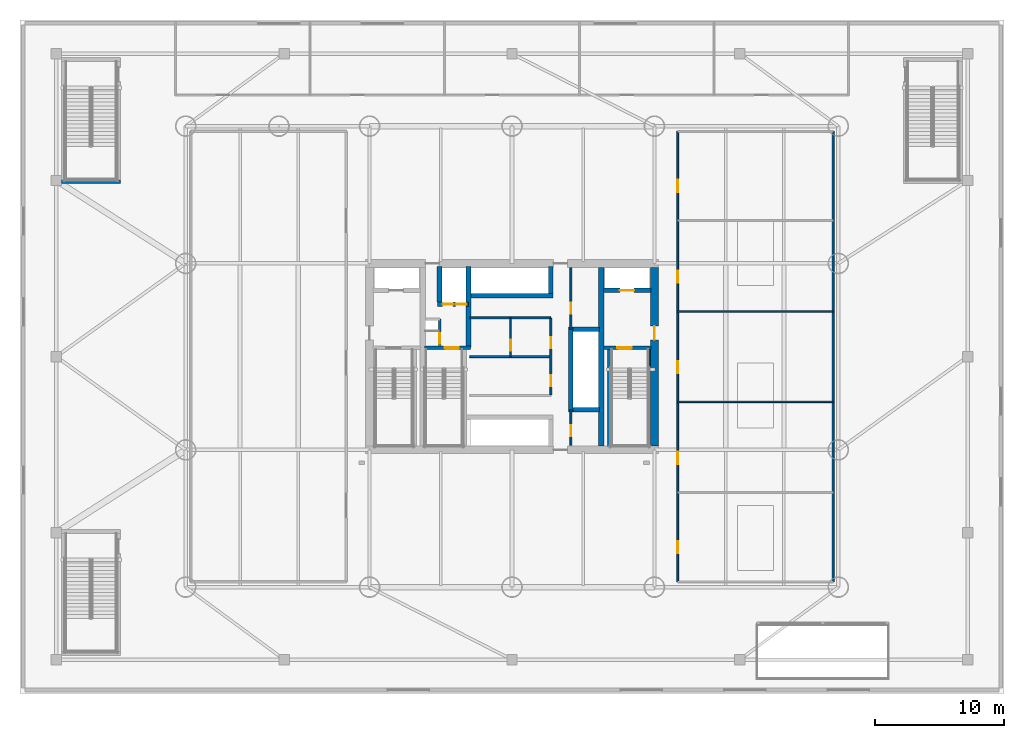
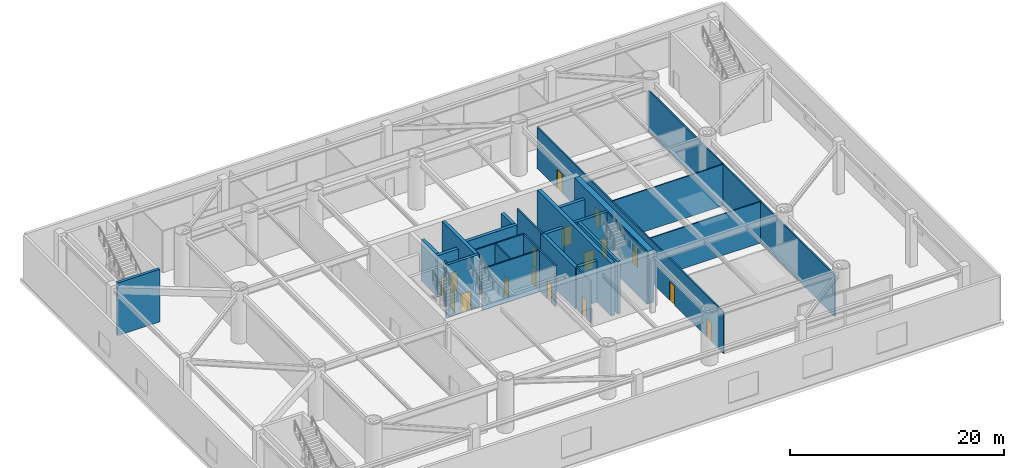
# One storey, part 7 of 17: 27 walls, 17 doors, 17 openings.
"""IFC4 building model written with IfcOpenShell, lengths in metres."""

from ifc_helpers import new_model, si_unit, direction, frame, frame_2d, origin, place, context, subcontext, project, spatial, rectangle, extrude, material, layer, layer_set, type_object, element, fill, save


model = new_model("IFC4")

# Units and contexts
model_context = context("Model", 3, precision=1e-05, world=origin(), true_north=direction((0.0, 1.0)))
body_context = subcontext(model_context, "Body", "Model", "MODEL_VIEW")
ifc_project = project(units=[si_unit("LENGTHUNIT", "METRE"), si_unit("AREAUNIT", "SQUARE_METRE"), si_unit("VOLUMEUNIT", "CUBIC_METRE"), si_unit("PLANEANGLEUNIT", "RADIAN"), si_unit("MASSUNIT", "GRAM", prefix="KILO")], contexts=[model_context])

# Site, building, storey
site_placement = place(None, origin())
site = spatial("IfcSite", under=ifc_project, at=site_placement, CompositionType="ELEMENT")
building_placement = place(site_placement, origin())
building = spatial("IfcBuilding", under=site, at=building_placement, Name="Bramvorn Convention Spire", CompositionType="ELEMENT")
storey_placement = place(building_placement, frame((0.0, 0.0, 24.0)))
storey = spatial("IfcBuildingStorey", under=building, at=storey_placement, Name="L04", CompositionType="ELEMENT", Elevation=24.0)

# Wall, opening, door
ifc_material_1 = material(Name="Concrete C60/70", Category="concrete")
ifc_layer_1 = layer(ifc_material_1, 0.60009765625)
ifc_layer_set_1 = layer_set([ifc_layer_1], Name="Concrete C60/70 - WL-CORE-600")
wall_type_1 = type_object("IfcWallType", Name="WL-CORE-600", PredefinedType="SHEAR", material=ifc_layer_set_1)
wall_1_placement = place(storey_placement, frame((49.0, 19.10009765625, 0.0), z_axis=(0.0, 0.0, 1.0), x_axis=(0.0, 1.0, 0.0)))
wall_1 = element("IfcWall", 1, at=wall_1_placement, inside=storey, type_object=wall_type_1, Name="L04 East RC core shear wall", PredefinedType="SHEAR", context=body_context, shape_type="SweptSolid", body=[
    extrude(rectangle(XDim=13.7998046875, YDim=0.60009765625, at=frame_2d((6.89990234375, 0.0))), origin(), (0.0, 0.0, 1.0), 6.0),
])
opening_1_placement = place(wall_1_placement, frame((8.199951171875, 0.0, 0.0)))
opening_1 = element("IfcOpeningElement", 2, at=opening_1_placement, cuts=wall_1, Name="Opening DL-105", PredefinedType="OPENING", context=body_context, shape_type="SweptSolid", body=[
    extrude(rectangle(XDim=1.050048828125, YDim=2.14990234375, at=frame_2d((0.52490234375, 1.074951171875))), frame((0.0, 0.31005859375, 0.0), z_axis=(0.0, -1.0, 0.0), x_axis=(1.0, 0.0, 0.0)), (0.0, 0.0, 1.0), 0.6201171875),
])
ifc_material_2 = material(Name="Smoke-Sealed Fire Lobby Timber-Core Door", Category="wood")
door_type_1 = type_object("IfcDoorType", Name="DR-LOBBY-1050", OperationType="NOTDEFINED", PredefinedType="DOOR", material=ifc_material_2)
door_1_placement = place(opening_1_placement, origin())
door_1 = element("IfcDoor", 3, at=door_1_placement, inside=storey, type_object=door_type_1, Name="L04 East Firefighting Lobby corridor door", OperationType="SINGLE_SWING_LEFT", OverallHeight=2.14990234375, OverallWidth=1.050048828125, PredefinedType="DOOR", context=body_context, shape_type="SweptSolid", body=[
    extrude(rectangle(XDim=1.050048828125, YDim=2.14990234375, at=frame_2d((0.52490234375, 1.074951171875))), frame((0.0, 0.02490234375, 0.0), z_axis=(0.0, -1.0, 0.0), x_axis=(1.0, 0.0, 0.0)), (0.0, 0.0, 1.0), 0.050048828125),
])
fill(opening_1, door_1)

ifc_material_3 = material(Name="Concrete C50/60", Category="concrete")
ifc_layer_2 = layer(ifc_material_3, 0.35009765625)
ifc_layer_set_2 = layer_set([ifc_layer_2], Name="Concrete C50/60 - WL-CORE-INT-350")
wall_type_2 = type_object("IfcWallType", Name="WL-CORE-INT-350", PredefinedType="SHEAR", material=ifc_layer_set_2)
wall_2_placement = place(storey_placement, frame((45.080078125, 31.1201171875, 0.0), z_axis=(0.0, 0.0, 1.0), x_axis=(1.0, 0.0, 0.0)))
wall_2 = element("IfcWall", 4, at=wall_2_placement, inside=storey, type_object=wall_type_2, Name="L04 FE2 shaft front wall", PredefinedType="SHEAR", context=body_context, shape_type="SweptSolid", body=[
    extrude(rectangle(XDim=3.669921875, YDim=0.35009765625, at=frame_2d((1.8349609375, 0.0))), origin(), (0.0, 0.0, 1.0), 4.7099609375),
])
opening_2_placement = place(wall_2_placement, frame((1.25, 0.0, 0.0)))
opening_2 = element("IfcOpeningElement", 5, at=opening_2_placement, cuts=wall_2, Name="Opening LD-110", PredefinedType="OPENING", context=body_context, shape_type="SweptSolid", body=[
    extrude(rectangle(XDim=1.10009765625, YDim=2.14990234375, at=frame_2d((0.550048828125, 1.074951171875))), frame((0.0, 0.18505859375, 0.0), z_axis=(0.0, -1.0, 0.0), x_axis=(1.0, 0.0, 0.0)), (0.0, 0.0, 1.0), 0.3701171875),
])
ifc_material_4 = material(Name="Firefighting & Service Lift Sliding Landing Door", Category="steel")
door_type_2 = type_object("IfcDoorType", Name="DR-LIFT-LD-1100", OperationType="NOTDEFINED", PredefinedType="DOOR", material=ifc_material_4)
door_2_placement = place(opening_2_placement, origin())
door_2 = element("IfcDoor", 6, at=door_2_placement, inside=storey, type_object=door_type_2, Name="L04 Lift FE2 Sliding Landing Door", OperationType="SLIDING_TO_LEFT", OverallHeight=2.14990234375, OverallWidth=1.10009765625, PredefinedType="DOOR", context=body_context, shape_type="SweptSolid", body=[
    extrude(rectangle(XDim=1.10009765625, YDim=2.14990234375, at=frame_2d((0.550048828125, 1.074951171875))), frame((0.0, 0.02490234375, 0.0), z_axis=(0.0, -1.0, 0.0), x_axis=(1.0, 0.0, 0.0)), (0.0, 0.0, 1.0), 0.050048828125),
])
fill(opening_2, door_2)

# Wall
wall_3_placement = place(storey_placement, frame((34.639892578125, 26.68994140625, 0.0), z_axis=(0.0, 0.0, 1.0), x_axis=(0.0, 1.0, 0.0)))
element("IfcWall", 7, at=wall_3_placement, inside=storey, type_object=wall_type_2, Name="L04 SV east core shaft wall", PredefinedType="SHEAR", context=body_context, shape_type="SweptSolid", body=[
    extrude(rectangle(XDim=6.260009765625, YDim=0.35009765625, at=frame_2d((3.1298828125, 0.0))), origin(), (0.0, 0.0, 1.0), 6.0),
])

# Wall, openings, doors
wall_4_placement = place(storey_placement, frame((32.22998046875, 30.050048828125, 0.0), z_axis=(0.0, 0.0, 1.0), x_axis=(1.0, 0.0, 0.0)))
wall_4 = element("IfcWall", 8, at=wall_4_placement, inside=storey, type_object=wall_type_2, Name="L04 SV1/SV2 shaft front wall", PredefinedType="SHEAR", context=body_context, shape_type="SweptSolid", body=[
    extrude(rectangle(XDim=2.409912109375, YDim=0.35009765625, at=frame_2d((1.205078125, 0.0))), origin(), (0.0, 0.0, 1.0), 4.7099609375),
])
opening_3_placement = place(wall_4_placement, frame((0.419921875, 0.0, 0.0)))
opening_3 = element("IfcOpeningElement", 9, at=opening_3_placement, cuts=wall_4, Name="Opening LD-080", PredefinedType="OPENING", context=body_context, shape_type="SweptSolid", body=[
    extrude(rectangle(XDim=0.800048828125, YDim=2.14990234375, at=frame_2d((0.39990234375, 1.074951171875))), frame((0.0, 0.18505859375, 0.0), z_axis=(0.0, -1.0, 0.0), x_axis=(1.0, 0.0, 0.0)), (0.0, 0.0, 1.0), 0.3701171875),
])
opening_4_placement = place(wall_4_placement, frame((1.419921875, 0.0, 0.0)))
opening_4 = element("IfcOpeningElement", 10, at=opening_4_placement, cuts=wall_4, Name="Opening LD-080", PredefinedType="OPENING", context=body_context, shape_type="SweptSolid", body=[
    extrude(rectangle(XDim=0.800048828125, YDim=2.14990234375, at=frame_2d((0.39990234375, 1.074951171875))), frame((0.0, 0.18505859375, 0.0), z_axis=(0.0, -1.0, 0.0), x_axis=(1.0, 0.0, 0.0)), (0.0, 0.0, 1.0), 0.3701171875),
])
ifc_material_5 = material(Name="Service Lift Bi-Parting Landing Door", Category="steel")
door_type_3 = type_object("IfcDoorType", Name="DR-LIFT-LD-800", OperationType="NOTDEFINED", PredefinedType="DOOR", material=ifc_material_5)
door_3_placement = place(opening_3_placement, origin())
door_3 = element("IfcDoor", 11, at=door_3_placement, inside=storey, type_object=door_type_3, Name="L04 Lift SV1 Sliding Landing Door", OperationType="SLIDING_TO_LEFT", OverallHeight=2.14990234375, OverallWidth=0.800048828125, PredefinedType="DOOR", context=body_context, shape_type="SweptSolid", body=[
    extrude(rectangle(XDim=0.800048828125, YDim=2.14990234375, at=frame_2d((0.39990234375, 1.074951171875))), frame((0.0, 0.02490234375, 0.0), z_axis=(0.0, -1.0, 0.0), x_axis=(1.0, 0.0, 0.0)), (0.0, 0.0, 1.0), 0.050048828125),
])
fill(opening_3, door_3)
door_4_placement = place(opening_4_placement, origin())
door_4 = element("IfcDoor", 12, at=door_4_placement, inside=storey, type_object=door_type_3, Name="L04 Lift SV2 Sliding Landing Door", OperationType="SLIDING_TO_LEFT", OverallHeight=2.14990234375, OverallWidth=0.800048828125, PredefinedType="DOOR", context=body_context, shape_type="SweptSolid", body=[
    extrude(rectangle(XDim=0.800048828125, YDim=2.14990234375, at=frame_2d((0.39990234375, 1.074951171875))), frame((0.0, 0.02490234375, 0.0), z_axis=(0.0, -1.0, 0.0), x_axis=(1.0, 0.0, 0.0)), (0.0, 0.0, 1.0), 0.050048828125),
])
fill(opening_4, door_4)

# Walls
wall_5_placement = place(storey_placement, frame((32.39990234375, 30.219970703125, 0.0), z_axis=(0.0, 0.0, 1.0), x_axis=(0.0, 1.0, 0.0)))
element("IfcWall", 13, at=wall_5_placement, inside=storey, type_object=wall_type_2, Name="L04 SV1 west hoistway wall", PredefinedType="SHEAR", context=body_context, shape_type="SweptSolid", body=[
    extrude(rectangle(XDim=2.72998046875, YDim=0.35009765625, at=frame_2d((1.364990234375, 0.0))), origin(), (0.0, 0.0, 1.0), 4.7099609375),
])
wall_6_placement = place(storey_placement, frame((42.550048828125, 21.72998046875, 0.0), z_axis=(0.0, 0.0, 1.0), x_axis=(0.0, 1.0, 0.0)))
element("IfcWall", 14, at=wall_6_placement, inside=storey, type_object=wall_type_2, Name="L04 High-rise lift bank west wall", PredefinedType="SHEAR", context=body_context, shape_type="SweptSolid", body=[
    extrude(rectangle(XDim=6.5400390625, YDim=0.35009765625, at=frame_2d((3.27001953125, 0.0))), origin(), (0.0, 0.0, 1.0), 4.7099609375),
])
for number, where, z_axis, x_axis, name in (
    (15, (42.719970703125, 21.89990234375, 0.0), (0.0, 0.0, 1.0), (1.0, 0.0, 0.0), "L04 High-rise lift bank south wall"),
    (16, (42.719970703125, 28.10009765625, 0.0), (0.0, 0.0, 1.0), (1.0, 0.0, 0.0), "L04 High-rise lift bank north wall"),
):
    element("IfcWall", number, at=place(storey_placement, frame(where, z_axis=z_axis, x_axis=x_axis)), inside=storey, type_object=wall_type_2, Name=name, PredefinedType="SHEAR", context=body_context, shape_type="SweptSolid", body=[
        extrude(rectangle(XDim=2.030029296875, YDim=0.35009765625, at=frame_2d((1.01513671875, 0.0))), origin(), (0.0, 0.0, 1.0), 4.7099609375),
    ])
wall_7_placement = place(storey_placement, frame((34.81005859375, 30.699951171875, 0.0), z_axis=(0.0, 0.0, 1.0), x_axis=(1.0, 0.0, 0.0)))
element("IfcWall", 17, at=wall_7_placement, inside=storey, type_object=wall_type_2, Name="L04 Low-rise bank south landing wall", PredefinedType="SHEAR", context=body_context, shape_type="SweptSolid", body=[
    extrude(rectangle(XDim=6.35986328125, YDim=0.35009765625, at=frame_2d((3.179931640625, 0.0))), origin(), (0.0, 0.0, 1.0), 4.7099609375),
])
wall_8_placement = place(storey_placement, frame((41.0, 30.8701171875, 0.0), z_axis=(0.0, 0.0, 1.0), x_axis=(0.0, 1.0, 0.0)))
element("IfcWall", 18, at=wall_8_placement, inside=storey, type_object=wall_type_2, Name="L04 Low-rise bank east cheek wall", PredefinedType="SHEAR", context=body_context, shape_type="SweptSolid", body=[
    extrude(rectangle(XDim=2.079833984375, YDim=0.35009765625, at=frame_2d((1.0400390625, 0.0))), origin(), (0.0, 0.0, 1.0), 4.7099609375),
])
ifc_layer_3 = layer(ifc_material_1, 0.39990234375)
ifc_layer_set_3 = layer_set([ifc_layer_3], Name="Concrete C60/70 - WL-CORE-INT-400")
wall_type_3 = type_object("IfcWallType", Name="WL-CORE-INT-400", PredefinedType="SHEAR", material=ifc_layer_set_3)
wall_9_placement = place(storey_placement, frame((44.89990234375, 19.10009765625, 0.0), z_axis=(0.0, 0.0, 1.0), x_axis=(0.0, 1.0, 0.0)))
element("IfcWall", 19, at=wall_9_placement, inside=storey, type_object=wall_type_3, Name="L04 East internal core shear web", PredefinedType="SHEAR", context=body_context, shape_type="SweptSolid", body=[
    extrude(rectangle(XDim=13.7998046875, YDim=0.39990234375, at=frame_2d((6.89990234375, 0.0))), origin(), (0.0, 0.0, 1.0), 6.0),
])

# Wall, opening, door
ifc_material_6 = material(Name="Lightweight En-Suite & Wet-Wall Partition", Category="gypsum")
ifc_layer_4 = layer(ifc_material_6, 0.110107421875)
ifc_layer_set_4 = layer_set([ifc_layer_4], Name="Lightweight En-Suite & Wet-Wall Partition - WL-PART-110")
wall_type_4 = type_object("IfcWallType", Name="WL-PART-110", PredefinedType="PARTITIONING", material=ifc_layer_set_4)
wall_10_placement = place(storey_placement, frame((37.89990234375, 26.0, 0.0), z_axis=(0.0, 0.0, 1.0), x_axis=(0.0, 1.0, 0.0)))
wall_10 = element("IfcWall", 20, at=wall_10_placement, inside=storey, type_object=wall_type_4, Name="L04 Core restroom subwall", PredefinedType="PARTITIONING", context=body_context, shape_type="SweptSolid", body=[
    extrude(rectangle(XDim=2.949951171875, YDim=0.110107421875, at=frame_2d((1.47509765625, 0.0))), origin(), (0.0, 0.0, 1.0), 4.7099609375),
])
opening_5_placement = place(wall_10_placement, frame((0.449951171875, 0.0, 0.0)))
opening_5 = element("IfcOpeningElement", 21, at=opening_5_placement, cuts=wall_10, Name="Opening DC-085", PredefinedType="OPENING", context=body_context, shape_type="SweptSolid", body=[
    extrude(rectangle(XDim=0.85009765625, YDim=2.10009765625, at=frame_2d((0.425048828125, 1.050048828125))), frame((0.0, 0.06494140625, 0.0), z_axis=(0.0, -1.0, 0.0), x_axis=(1.0, 0.0, 0.0)), (0.0, 0.0, 1.0), 0.130126953125),
])
ifc_material_7 = material(Name="Fire-Rated Core Washroom & IDF Door", Category="wood")
door_type_4 = type_object("IfcDoorType", Name="DR-CORE-850", OperationType="NOTDEFINED", PredefinedType="DOOR", material=ifc_material_7)
door_5_placement = place(opening_5_placement, origin())
door_5 = element("IfcDoor", 22, at=door_5_placement, inside=storey, type_object=door_type_4, Name="L04 Core telecom store door", OperationType="SINGLE_SWING_LEFT", OverallHeight=2.10009765625, OverallWidth=0.85009765625, PredefinedType="DOOR", context=body_context, shape_type="SweptSolid", body=[
    extrude(rectangle(XDim=0.85009765625, YDim=2.10009765625, at=frame_2d((0.425048828125, 1.050048828125))), frame((0.0, 0.02490234375, 0.0), z_axis=(0.0, -1.0, 0.0), x_axis=(1.0, 0.0, 0.0)), (0.0, 0.0, 1.0), 0.050048828125),
])
fill(opening_5, door_5)

# Walls
for number, where, z_axis, x_axis, name in (
    (23, (50.800048828125, 22.5, 0.0), (0.0, 0.0, 1.0), (1.0, 0.0, 0.0), "L04 Seminar divider 2"),
    (24, (50.800048828125, 29.5, 0.0), (0.0, 0.0, 1.0), (1.0, 0.0, 0.0), "L04 Seminar divider 3"),
):
    element("IfcWall", number, at=place(storey_placement, frame(where, z_axis=z_axis, x_axis=x_axis)), inside=storey, type_object=wall_type_4, Name=name, PredefinedType="PARTITIONING", context=body_context, shape_type="SweptSolid", body=[
        extrude(rectangle(XDim=12.0, YDim=0.110107421875, at=frame_2d((6.0, 0.0))), origin(), (0.0, 0.0, 1.0), 4.7099609375),
    ])
ifc_material_8 = material(Name="Acoustic Metal-Stud Tenant/Corridor Partition", Category="gypsum")
ifc_layer_5 = layer(ifc_material_8, 0.14990234375)
ifc_layer_set_5 = layer_set([ifc_layer_5], Name="Acoustic Metal-Stud Tenant/Corridor Partition - WL-PART-150")
wall_type_5 = type_object("IfcWallType", Name="WL-PART-150", PredefinedType="PARTITIONING", material=ifc_layer_set_5)
wall_11_placement = place(storey_placement, frame((34.75, 29.0, 0.0), z_axis=(0.0, 0.0, 1.0), x_axis=(1.0, 0.0, 0.0)))
element("IfcWall", 25, at=wall_11_placement, inside=storey, type_object=wall_type_5, Name="L04 Low-rise lift vestibule south wall", PredefinedType="PARTITIONING", context=body_context, shape_type="SweptSolid", body=[
    extrude(rectangle(XDim=6.25, YDim=0.14990234375, at=frame_2d((3.125, 0.0))), origin(), (0.0, 0.0, 1.0), 4.7099609375),
])

# Wall, openings, doors
wall_12_placement = place(storey_placement, frame((41.0, 23.050048828125, 0.0), z_axis=(0.0, 0.0, 1.0), x_axis=(0.0, 1.0, 0.0)))
wall_12 = element("IfcWall", 26, at=wall_12_placement, inside=storey, type_object=wall_type_5, Name="L04 Core room east wall", PredefinedType="PARTITIONING", context=body_context, shape_type="SweptSolid", body=[
    extrude(rectangle(XDim=5.89990234375, YDim=0.14990234375, at=frame_2d((2.949951171875, 0.0))), origin(), (0.0, 0.0, 1.0), 4.7099609375),
])
opening_6_placement = place(wall_12_placement, frame((0.64990234375, 0.0, 0.0)))
opening_6 = element("IfcOpeningElement", 27, at=opening_6_placement, cuts=wall_12, Name="Opening DC-085", PredefinedType="OPENING", context=body_context, shape_type="SweptSolid", body=[
    extrude(rectangle(XDim=0.85009765625, YDim=2.10009765625, at=frame_2d((0.425048828125, 1.050048828125))), frame((0.0, 0.0849609375, 0.0), z_axis=(0.0, -1.0, 0.0), x_axis=(1.0, 0.0, 0.0)), (0.0, 0.0, 1.0), 0.169921875),
])
opening_7_placement = place(wall_12_placement, frame((3.60009765625, 0.0, 0.0)))
opening_7 = element("IfcOpeningElement", 28, at=opening_7_placement, cuts=wall_12, Name="Opening DC-085", PredefinedType="OPENING", context=body_context, shape_type="SweptSolid", body=[
    extrude(rectangle(XDim=0.85009765625, YDim=2.10009765625, at=frame_2d((0.425048828125, 1.050048828125))), frame((0.0, 0.0849609375, 0.0), z_axis=(0.0, -1.0, 0.0), x_axis=(1.0, 0.0, 0.0)), (0.0, 0.0, 1.0), 0.169921875),
])
door_6_placement = place(opening_6_placement, origin())
door_6 = element("IfcDoor", 29, at=door_6_placement, inside=storey, type_object=door_type_4, Name="L04 Core room 1 door", OperationType="SINGLE_SWING_LEFT", OverallHeight=2.10009765625, OverallWidth=0.85009765625, PredefinedType="DOOR", context=body_context, shape_type="SweptSolid", body=[
    extrude(rectangle(XDim=0.85009765625, YDim=2.10009765625, at=frame_2d((0.425048828125, 1.050048828125))), frame((0.0, 0.02490234375, 0.0), z_axis=(0.0, -1.0, 0.0), x_axis=(1.0, 0.0, 0.0)), (0.0, 0.0, 1.0), 0.050048828125),
])
fill(opening_6, door_6)
door_7_placement = place(opening_7_placement, origin())
door_7 = element("IfcDoor", 30, at=door_7_placement, inside=storey, type_object=door_type_4, Name="L04 Core room 2 door", OperationType="SINGLE_SWING_LEFT", OverallHeight=2.10009765625, OverallWidth=0.85009765625, PredefinedType="DOOR", context=body_context, shape_type="SweptSolid", body=[
    extrude(rectangle(XDim=0.85009765625, YDim=2.10009765625, at=frame_2d((0.425048828125, 1.050048828125))), frame((0.0, 0.02490234375, 0.0), z_axis=(0.0, -1.0, 0.0), x_axis=(1.0, 0.0, 0.0)), (0.0, 0.0, 1.0), 0.050048828125),
])
fill(opening_7, door_7)

# Wall
wall_13_placement = place(storey_placement, frame((34.75, 26.0, 0.0), z_axis=(0.0, 0.0, 1.0), x_axis=(1.0, 0.0, 0.0)))
element("IfcWall", 31, at=wall_13_placement, inside=storey, type_object=wall_type_5, Name="L04 Core room divider", PredefinedType="PARTITIONING", context=body_context, shape_type="SweptSolid", body=[
    extrude(rectangle(XDim=6.25, YDim=0.14990234375, at=frame_2d((3.125, 0.0))), origin(), (0.0, 0.0, 1.0), 4.7099609375),
])

# Wall, opening, door
wall_14_placement = place(storey_placement, frame((42.550048828125, 28.10009765625, 0.0), z_axis=(0.0, 0.0, 1.0), x_axis=(0.0, 1.0, 0.0)))
wall_14 = element("IfcWall", 32, at=wall_14_placement, inside=storey, type_object=wall_type_5, Name="L04 Core NE store wall", PredefinedType="PARTITIONING", context=body_context, shape_type="SweptSolid", body=[
    extrude(rectangle(XDim=4.75, YDim=0.14990234375, at=frame_2d((2.375, 0.0))), origin(), (0.0, 0.0, 1.0), 4.7099609375),
])
opening_8_placement = place(wall_14_placement, frame((1.199951171875, 0.0, 0.0)))
opening_8 = element("IfcOpeningElement", 33, at=opening_8_placement, cuts=wall_14, Name="Opening DC-085", PredefinedType="OPENING", context=body_context, shape_type="SweptSolid", body=[
    extrude(rectangle(XDim=0.85009765625, YDim=2.10009765625, at=frame_2d((0.425048828125, 1.050048828125))), frame((0.0, 0.0849609375, 0.0), z_axis=(0.0, -1.0, 0.0), x_axis=(1.0, 0.0, 0.0)), (0.0, 0.0, 1.0), 0.169921875),
])
door_8_placement = place(opening_8_placement, origin())
door_8 = element("IfcDoor", 34, at=door_8_placement, inside=storey, type_object=door_type_4, Name="L04 Core NE store door", OperationType="SINGLE_SWING_LEFT", OverallHeight=2.10009765625, OverallWidth=0.85009765625, PredefinedType="DOOR", context=body_context, shape_type="SweptSolid", body=[
    extrude(rectangle(XDim=0.85009765625, YDim=2.10009765625, at=frame_2d((0.425048828125, 1.050048828125))), frame((0.0, 0.02490234375, 0.0), z_axis=(0.0, -1.0, 0.0), x_axis=(1.0, 0.0, 0.0)), (0.0, 0.0, 1.0), 0.050048828125),
])
fill(opening_8, door_8)

wall_15_placement = place(storey_placement, frame((42.550048828125, 19.14990234375, 0.0), z_axis=(0.0, 0.0, 1.0), x_axis=(0.0, 1.0, 0.0)))
wall_15 = element("IfcWall", 35, at=wall_15_placement, inside=storey, type_object=wall_type_5, Name="L04 Core SE riser wall", PredefinedType="PARTITIONING", context=body_context, shape_type="SweptSolid", body=[
    extrude(rectangle(XDim=2.75, YDim=0.14990234375, at=frame_2d((1.375, 0.0))), origin(), (0.0, 0.0, 1.0), 4.7099609375),
])
opening_9_placement = place(wall_15_placement, frame((0.699951171875, 0.0, 0.0)))
opening_9 = element("IfcOpeningElement", 36, at=opening_9_placement, cuts=wall_15, Name="Opening DC-085", PredefinedType="OPENING", context=body_context, shape_type="SweptSolid", body=[
    extrude(rectangle(XDim=0.85009765625, YDim=2.10009765625, at=frame_2d((0.425048828125, 1.050048828125))), frame((0.0, 0.0849609375, 0.0), z_axis=(0.0, -1.0, 0.0), x_axis=(1.0, 0.0, 0.0)), (0.0, 0.0, 1.0), 0.169921875),
])
door_9_placement = place(opening_9_placement, origin())
door_9 = element("IfcDoor", 37, at=door_9_placement, inside=storey, type_object=door_type_4, Name="L04 Core SE riser door", OperationType="SINGLE_SWING_LEFT", OverallHeight=2.10009765625, OverallWidth=0.85009765625, PredefinedType="DOOR", context=body_context, shape_type="SweptSolid", body=[
    extrude(rectangle(XDim=0.85009765625, YDim=2.10009765625, at=frame_2d((0.425048828125, 1.050048828125))), frame((0.0, 0.02490234375, 0.0), z_axis=(0.0, -1.0, 0.0), x_axis=(1.0, 0.0, 0.0)), (0.0, 0.0, 1.0), 0.050048828125),
])
fill(opening_9, door_9)

# Wall, openings, doors
wall_16_placement = place(storey_placement, frame((50.800048828125, 8.60009765625, 0.0), z_axis=(0.0, 0.0, 1.0), x_axis=(0.0, 1.0, 0.0)))
wall_16 = element("IfcWall", 38, at=wall_16_placement, inside=storey, type_object=wall_type_5, Name="L04 East Seminar wing wall", PredefinedType="PARTITIONING", context=body_context, shape_type="SweptSolid", body=[
    extrude(rectangle(XDim=34.7998046875, YDim=0.14990234375, at=frame_2d((17.39990234375, 0.0))), origin(), (0.0, 0.0, 1.0), 4.7099609375),
])
opening_10_placement = place(wall_16_placement, frame((2.199951171875, 0.0, 0.0)))
opening_10 = element("IfcOpeningElement", 39, at=opening_10_placement, cuts=wall_16, Name="Opening DH-095", PredefinedType="OPENING", context=body_context, shape_type="SweptSolid", body=[
    extrude(rectangle(XDim=0.949951171875, YDim=2.14990234375, at=frame_2d((0.47509765625, 1.074951171875))), frame((0.0, 0.0849609375, 0.0), z_axis=(0.0, -1.0, 0.0), x_axis=(1.0, 0.0, 0.0)), (0.0, 0.0, 1.0), 0.169921875),
])
opening_11_placement = place(wall_16_placement, frame((9.10009765625, 0.0, 0.0)))
opening_11 = element("IfcOpeningElement", 40, at=opening_11_placement, cuts=wall_16, Name="Opening DH-095", PredefinedType="OPENING", context=body_context, shape_type="SweptSolid", body=[
    extrude(rectangle(XDim=0.949951171875, YDim=2.14990234375, at=frame_2d((0.47509765625, 1.074951171875))), frame((0.0, 0.0849609375, 0.0), z_axis=(0.0, -1.0, 0.0), x_axis=(1.0, 0.0, 0.0)), (0.0, 0.0, 1.0), 0.169921875),
])
opening_12_placement = place(wall_16_placement, frame((16.10009765625, 0.0, 0.0)))
opening_12 = element("IfcOpeningElement", 41, at=opening_12_placement, cuts=wall_16, Name="Opening DH-095", PredefinedType="OPENING", context=body_context, shape_type="SweptSolid", body=[
    extrude(rectangle(XDim=0.949951171875, YDim=2.14990234375, at=frame_2d((0.47509765625, 1.074951171875))), frame((0.0, 0.0849609375, 0.0), z_axis=(0.0, -1.0, 0.0), x_axis=(1.0, 0.0, 0.0)), (0.0, 0.0, 1.0), 0.169921875),
])
opening_13_placement = place(wall_16_placement, frame((23.10009765625, 0.0, 0.0)))
opening_13 = element("IfcOpeningElement", 42, at=opening_13_placement, cuts=wall_16, Name="Opening DH-095", PredefinedType="OPENING", context=body_context, shape_type="SweptSolid", body=[
    extrude(rectangle(XDim=0.949951171875, YDim=2.14990234375, at=frame_2d((0.47509765625, 1.074951171875))), frame((0.0, 0.0849609375, 0.0), z_axis=(0.0, -1.0, 0.0), x_axis=(1.0, 0.0, 0.0)), (0.0, 0.0, 1.0), 0.169921875),
])
opening_14_placement = place(wall_16_placement, frame((30.10009765625, 0.0, 0.0)))
opening_14 = element("IfcOpeningElement", 43, at=opening_14_placement, cuts=wall_16, Name="Opening DH-095", PredefinedType="OPENING", context=body_context, shape_type="SweptSolid", body=[
    extrude(rectangle(XDim=0.949951171875, YDim=2.14990234375, at=frame_2d((0.47509765625, 1.074951171875))), frame((0.0, 0.0849609375, 0.0), z_axis=(0.0, -1.0, 0.0), x_axis=(1.0, 0.0, 0.0)), (0.0, 0.0, 1.0), 0.169921875),
])
ifc_material_9 = material(Name="Solid-Core Acoustic Guestroom Entry Door", Category="wood")
door_type_5 = type_object("IfcDoorType", Name="DR-HOTEL-950", OperationType="NOTDEFINED", PredefinedType="DOOR", material=ifc_material_9)
door_10_placement = place(opening_10_placement, origin())
door_10 = element("IfcDoor", 44, at=door_10_placement, inside=storey, type_object=door_type_5, Name="L04 Congress Seminar Room 1 door", OperationType="SINGLE_SWING_LEFT", OverallHeight=2.14990234375, OverallWidth=0.949951171875, PredefinedType="DOOR", context=body_context, shape_type="SweptSolid", body=[
    extrude(rectangle(XDim=0.949951171875, YDim=2.14990234375, at=frame_2d((0.47509765625, 1.074951171875))), frame((0.0, 0.02490234375, 0.0), z_axis=(0.0, -1.0, 0.0), x_axis=(1.0, 0.0, 0.0)), (0.0, 0.0, 1.0), 0.050048828125),
])
fill(opening_10, door_10)
door_11_placement = place(opening_11_placement, origin())
door_11 = element("IfcDoor", 45, at=door_11_placement, inside=storey, type_object=door_type_5, Name="L04 Congress Seminar Room 2 door", OperationType="SINGLE_SWING_LEFT", OverallHeight=2.14990234375, OverallWidth=0.949951171875, PredefinedType="DOOR", context=body_context, shape_type="SweptSolid", body=[
    extrude(rectangle(XDim=0.949951171875, YDim=2.14990234375, at=frame_2d((0.47509765625, 1.074951171875))), frame((0.0, 0.02490234375, 0.0), z_axis=(0.0, -1.0, 0.0), x_axis=(1.0, 0.0, 0.0)), (0.0, 0.0, 1.0), 0.050048828125),
])
fill(opening_11, door_11)
door_12_placement = place(opening_12_placement, origin())
door_12 = element("IfcDoor", 46, at=door_12_placement, inside=storey, type_object=door_type_5, Name="L04 Congress Seminar Room 3 door", OperationType="SINGLE_SWING_LEFT", OverallHeight=2.14990234375, OverallWidth=0.949951171875, PredefinedType="DOOR", context=body_context, shape_type="SweptSolid", body=[
    extrude(rectangle(XDim=0.949951171875, YDim=2.14990234375, at=frame_2d((0.47509765625, 1.074951171875))), frame((0.0, 0.02490234375, 0.0), z_axis=(0.0, -1.0, 0.0), x_axis=(1.0, 0.0, 0.0)), (0.0, 0.0, 1.0), 0.050048828125),
])
fill(opening_12, door_12)
door_13_placement = place(opening_13_placement, origin())
door_13 = element("IfcDoor", 47, at=door_13_placement, inside=storey, type_object=door_type_5, Name="L04 Congress Seminar Room 4 door", OperationType="SINGLE_SWING_LEFT", OverallHeight=2.14990234375, OverallWidth=0.949951171875, PredefinedType="DOOR", context=body_context, shape_type="SweptSolid", body=[
    extrude(rectangle(XDim=0.949951171875, YDim=2.14990234375, at=frame_2d((0.47509765625, 1.074951171875))), frame((0.0, 0.02490234375, 0.0), z_axis=(0.0, -1.0, 0.0), x_axis=(1.0, 0.0, 0.0)), (0.0, 0.0, 1.0), 0.050048828125),
])
fill(opening_13, door_13)
door_14_placement = place(opening_14_placement, origin())
door_14 = element("IfcDoor", 48, at=door_14_placement, inside=storey, type_object=door_type_5, Name="L04 Congress Seminar Room 5 door", OperationType="SINGLE_SWING_LEFT", OverallHeight=2.14990234375, OverallWidth=0.949951171875, PredefinedType="DOOR", context=body_context, shape_type="SweptSolid", body=[
    extrude(rectangle(XDim=0.949951171875, YDim=2.14990234375, at=frame_2d((0.47509765625, 1.074951171875))), frame((0.0, 0.02490234375, 0.0), z_axis=(0.0, -1.0, 0.0), x_axis=(1.0, 0.0, 0.0)), (0.0, 0.0, 1.0), 0.050048828125),
])
fill(opening_14, door_14)

# Wall
wall_17_placement = place(storey_placement, frame((62.800048828125, 8.60009765625, 0.0), z_axis=(0.0, 0.0, 1.0), x_axis=(0.0, 1.0, 0.0)))
element("IfcWall", 49, at=wall_17_placement, inside=storey, type_object=wall_type_5, Name="L04 East Seminar outer wall", PredefinedType="PARTITIONING", context=body_context, shape_type="SweptSolid", body=[
    extrude(rectangle(XDim=34.7998046875, YDim=0.14990234375, at=frame_2d((17.39990234375, 0.0))), origin(), (0.0, 0.0, 1.0), 4.7099609375),
])

# Wall, opening, door
ifc_material_10 = material(Name="Gypsum Shaftwall & Rockwool Core Partition", Category="gypsum")
ifc_layer_6 = layer(ifc_material_10, 0.199951171875)
ifc_layer_set_6 = layer_set([ifc_layer_6], Name="Gypsum Shaftwall & Rockwool Core Partition - WL-PART-200-FR")
wall_type_6 = type_object("IfcWallType", Name="WL-PART-200-FR", PredefinedType="PARTITIONING", material=ifc_layer_set_6)
wall_18_placement = place(storey_placement, frame((32.419921875, 26.860107421875, 0.0), z_axis=(0.0, 0.0, 1.0), x_axis=(0.0, 1.0, 0.0)))
wall_18 = element("IfcWall", 50, at=wall_18_placement, inside=storey, type_object=wall_type_6, Name="L04 Telecom riser east wall", PredefinedType="PARTITIONING", context=body_context, shape_type="SweptSolid", body=[
    extrude(rectangle(XDim=2.039794921875, YDim=0.199951171875, at=frame_2d((1.02001953125, 0.0))), origin(), (0.0, 0.0, 1.0), 4.7099609375),
])
opening_15_placement = place(wall_18_placement, frame((0.139892578125, 0.0, 0.0)))
opening_15 = element("IfcOpeningElement", 51, at=opening_15_placement, cuts=wall_18, Name="Opening DR-080", PredefinedType="OPENING", context=body_context, shape_type="SweptSolid", body=[
    extrude(rectangle(XDim=0.800048828125, YDim=2.050048828125, at=frame_2d((0.39990234375, 1.02490234375))), frame((0.0, 0.10986328125, 0.0), z_axis=(0.0, -1.0, 0.0), x_axis=(1.0, 0.0, 0.0)), (0.0, 0.0, 1.0), 0.219970703125),
])
ifc_material_11 = material(Name="Flush Steel Riser Access Door", Category="steel")
door_type_6 = type_object("IfcDoorType", Name="DR-RISER-800", OperationType="NOTDEFINED", PredefinedType="DOOR", material=ifc_material_11)
door_15_placement = place(opening_15_placement, origin())
door_15 = element("IfcDoor", 52, at=door_15_placement, inside=storey, type_object=door_type_6, Name="L04 Telecom riser access door", OperationType="SINGLE_SWING_RIGHT", OverallHeight=2.050048828125, OverallWidth=0.800048828125, PredefinedType="DOOR", context=body_context, shape_type="SweptSolid", body=[
    extrude(rectangle(XDim=0.800048828125, YDim=2.050048828125, at=frame_2d((0.39990234375, 1.02490234375))), frame((0.0, 0.02490234375, 0.0), z_axis=(0.0, -1.0, 0.0), x_axis=(1.0, 0.0, 0.0)), (0.0, 0.0, 1.0), 0.050048828125),
])
fill(opening_15, door_15)

ifc_layer_7 = layer(ifc_material_3, 0.300048828125)
ifc_layer_set_7 = layer_set([ifc_layer_7], Name="Concrete C50/60 - WL-POD-STAIR-300")
wall_type_7 = type_object("IfcWallType", Name="WL-POD-STAIR-300", PredefinedType="SHEAR", material=ifc_layer_set_7)
wall_19_placement = place(storey_placement, frame((45.080078125, 26.68994140625, 0.0), z_axis=(0.0, 0.0, 1.0), x_axis=(1.0, 0.0, 0.0)))
wall_19 = element("IfcWall", 53, at=wall_19_placement, inside=storey, type_object=wall_type_7, Name="L04 ST2 north fire wall", PredefinedType="SHEAR", context=body_context, shape_type="SweptSolid", body=[
    extrude(rectangle(XDim=3.669921875, YDim=0.300048828125, at=frame_2d((1.8349609375, 0.0))), origin(), (0.0, 0.0, 1.0), 6.0),
])
opening_16_placement = place(wall_19_placement, frame((1.050048828125, 0.0, 0.0)))
opening_16 = element("IfcOpeningElement", 54, at=opening_16_placement, cuts=wall_19, Name="Opening DS-110", PredefinedType="OPENING", context=body_context, shape_type="SweptSolid", body=[
    extrude(rectangle(XDim=1.10009765625, YDim=2.14990234375, at=frame_2d((0.550048828125, 1.074951171875))), frame((0.0, 0.159912109375, 0.0), z_axis=(0.0, -1.0, 0.0), x_axis=(1.0, 0.0, 0.0)), (0.0, 0.0, 1.0), 0.320068359375),
])
ifc_material_12 = material(Name="Fire-Rated Hollow Steel Stairwell Door", Category="steel")
door_type_7 = type_object("IfcDoorType", Name="DR-STAIR-1100", OperationType="NOTDEFINED", PredefinedType="DOOR", material=ifc_material_12)
door_16_placement = place(opening_16_placement, origin())
door_16 = element("IfcDoor", 55, at=door_16_placement, inside=storey, type_object=door_type_7, Name="L04 Stair ST2 fire door", OperationType="SINGLE_SWING_RIGHT", OverallHeight=2.14990234375, OverallWidth=1.10009765625, PredefinedType="DOOR", context=body_context, shape_type="SweptSolid", body=[
    extrude(rectangle(XDim=1.10009765625, YDim=2.14990234375, at=frame_2d((0.550048828125, 1.074951171875))), frame((0.0, 0.02490234375, 0.0), z_axis=(0.0, -1.0, 0.0), x_axis=(1.0, 0.0, 0.0)), (0.0, 0.0, 1.0), 0.050048828125),
])
fill(opening_16, door_16)

# Wall
wall_20_placement = place(storey_placement, frame((45.510009765625, 19.050048828125, 0.0), z_axis=(0.0, 0.0, 1.0), x_axis=(0.0, 1.0, 0.0)))
element("IfcWall", 56, at=wall_20_placement, inside=storey, type_object=wall_type_7, Name="L04 ST2 west bearing wall", PredefinedType="SHEAR", context=body_context, shape_type="SweptSolid", body=[
    extrude(rectangle(XDim=7.5, YDim=0.300048828125, at=frame_2d((3.75, 0.0))), origin(), (0.0, 0.0, 1.0), 6.0),
])

# Wall, opening, door
wall_21_placement = place(storey_placement, frame((31.25, 26.68994140625, 0.0), z_axis=(0.0, 0.0, 1.0), x_axis=(1.0, 0.0, 0.0)))
wall_21 = element("IfcWall", 57, at=wall_21_placement, inside=storey, type_object=wall_type_7, Name="L04 ST3 north lobby wall", PredefinedType="SHEAR", context=body_context, shape_type="SweptSolid", body=[
    extrude(rectangle(XDim=3.56005859375, YDim=0.300048828125, at=frame_2d((1.780029296875, 0.0))), origin(), (0.0, 0.0, 1.0), 6.0),
])
opening_17_placement = place(wall_21_placement, frame((1.550048828125, 0.0, 0.0)))
opening_17 = element("IfcOpeningElement", 58, at=opening_17_placement, cuts=wall_21, Name="Opening DS-110", PredefinedType="OPENING", context=body_context, shape_type="SweptSolid", body=[
    extrude(rectangle(XDim=1.10009765625, YDim=2.14990234375, at=frame_2d((0.550048828125, 1.074951171875))), frame((0.0, 0.159912109375, 0.0), z_axis=(0.0, -1.0, 0.0), x_axis=(1.0, 0.0, 0.0)), (0.0, 0.0, 1.0), 0.320068359375),
])
door_17_placement = place(opening_17_placement, origin())
door_17 = element("IfcDoor", 59, at=door_17_placement, inside=storey, type_object=door_type_7, Name="L04 Stair ST3 fire door", OperationType="SINGLE_SWING_LEFT", OverallHeight=2.14990234375, OverallWidth=1.10009765625, PredefinedType="DOOR", context=body_context, shape_type="SweptSolid", body=[
    extrude(rectangle(XDim=1.10009765625, YDim=2.14990234375, at=frame_2d((0.550048828125, 1.074951171875))), frame((0.0, 0.02490234375, 0.0), z_axis=(0.0, -1.0, 0.0), x_axis=(1.0, 0.0, 0.0)), (0.0, 0.0, 1.0), 0.050048828125),
])
fill(opening_17, door_17)

# Walls
wall_22_placement = place(storey_placement, frame((3.2099609375, 39.510009765625, 0.0), z_axis=(0.0, 0.0, 1.0), x_axis=(1.0, 0.0, 0.0)))
element("IfcWall", 60, at=wall_22_placement, inside=storey, type_object=wall_type_7, Name="L04 ST6 south shaft wall", PredefinedType="SHEAR", context=body_context, shape_type="SweptSolid", body=[
    extrude(rectangle(XDim=4.56005859375, YDim=0.300048828125, at=frame_2d((2.280029296875, 0.0))), origin(), (0.0, 0.0, 1.0), 6.0),
])
ifc_layer_8 = layer(ifc_material_3, 0.1201171875)
ifc_layer_set_8 = layer_set([ifc_layer_8], Name="Concrete C50/60 - WL-STAIR-RC-120")
wall_type_8 = type_object("IfcWallType", Name="WL-STAIR-RC-120", PredefinedType="SHEAR", material=ifc_layer_set_8)
wall_23_placement = place(storey_placement, frame((48.60498046875, 19.10009765625, 0.0), z_axis=(0.0, 0.0, 1.0), x_axis=(0.0, 1.0, 0.0)))
element("IfcWall", 61, at=wall_23_placement, inside=storey, type_object=wall_type_8, Name="L04 ST2 east bearing shear wall", PredefinedType="SHEAR", context=body_context, shape_type="SweptSolid", body=[
    extrude(rectangle(XDim=7.449951171875, YDim=0.1201171875, at=frame_2d((3.72509765625, 0.0))), origin(), (0.0, 0.0, 1.0), 6.0),
])

save(model, "model.ifc")
